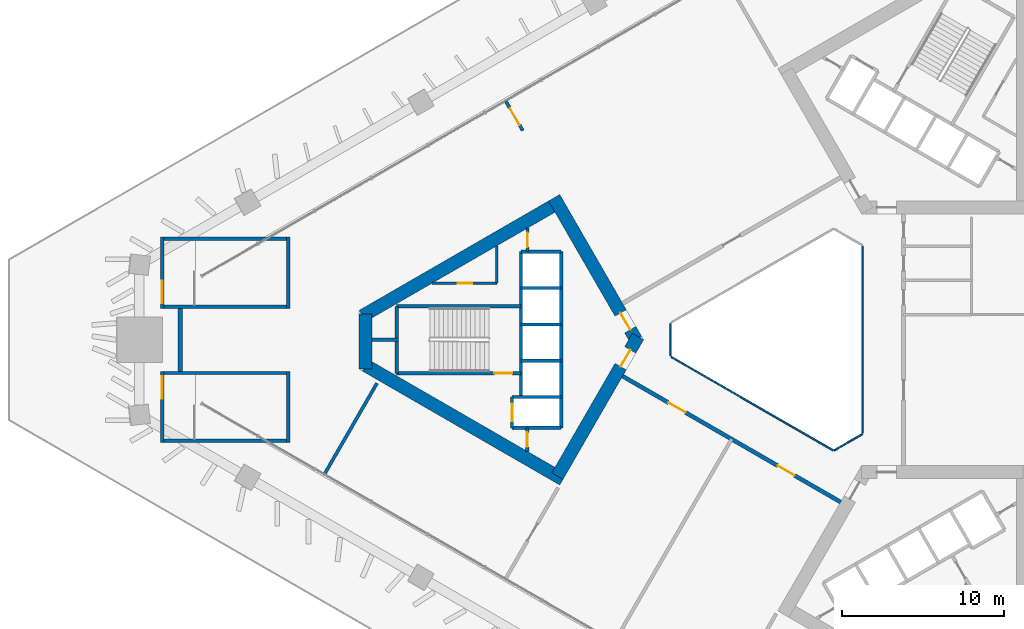
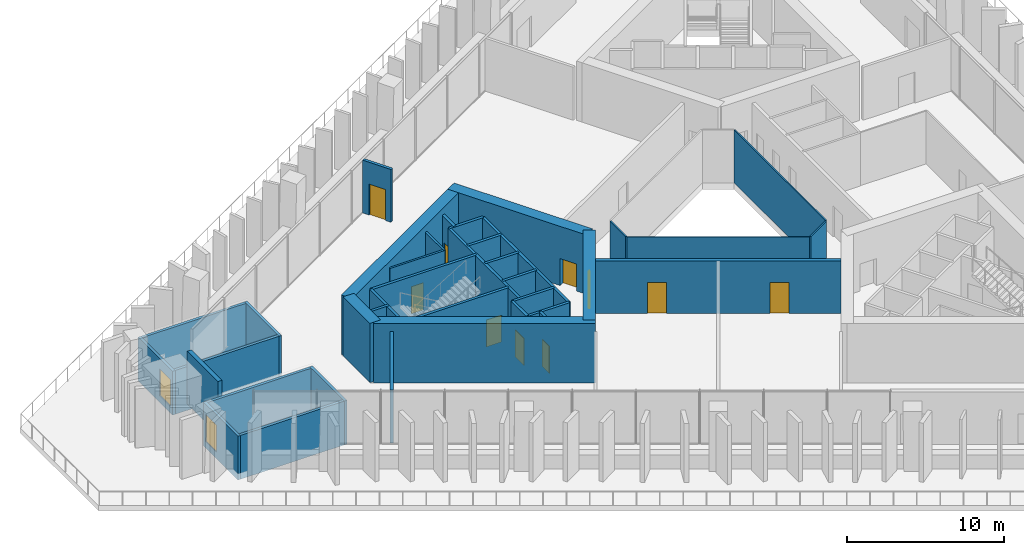
# One storey, part 17 of 31: 38 walls, 12 doors, 12 openings.
"""IFC4 building model written with IfcOpenShell, lengths in metres."""

from ifc_helpers import new_model, si_unit, direction, frame, frame_2d, origin, place, context, subcontext, project, spatial, rectangle, extrude, material, layer, layer_set, type_object, element, fill, save


model = new_model("IFC4")

# Units and contexts
model_context = context("Model", 3, precision=1e-05, world=origin(), true_north=direction((0.0, 1.0)))
body_context = subcontext(model_context, "Body", "Model", "MODEL_VIEW")
ifc_project = project(units=[si_unit("LENGTHUNIT", "METRE"), si_unit("AREAUNIT", "SQUARE_METRE"), si_unit("VOLUMEUNIT", "CUBIC_METRE"), si_unit("PLANEANGLEUNIT", "RADIAN"), si_unit("MASSUNIT", "GRAM", prefix="KILO")], contexts=[model_context])

# Site, building, storey
site_placement = place(None, origin())
site = spatial("IfcSite", under=ifc_project, at=site_placement, CompositionType="ELEMENT")
building_placement = place(site_placement, origin())
building = spatial("IfcBuilding", under=site, at=building_placement, Name="Jabali Bay Hotel Tower and Convention Centre", CompositionType="ELEMENT")
storey_placement = place(building_placement, frame((0.0, 0.0, 25.39990234375)))
storey = spatial("IfcBuildingStorey", under=building, at=storey_placement, Name="L04", CompositionType="ELEMENT", Elevation=25.39990234375)

# Walls
ifc_material_1 = material(Name="Fire-resistant glazing", Category="glass")
ifc_layer_1 = layer(ifc_material_1, 0.10009765625)
ifc_layer_set_1 = layer_set([ifc_layer_1], Name="Fire-resistant glazing")
wall_type_1 = type_object("IfcWallType", Name="Atrium glazed screen 100", PredefinedType="PARTITIONING", material=ifc_layer_set_1)
wall_1_placement = place(storey_placement, frame((79.56005859375, 74.205810546875, 0.0), z_axis=(0.0, 0.0, 1.0), x_axis=(0.0, 1.0, 0.0)))
element("IfcWall", 1, at=wall_1_placement, inside=storey, type_object=wall_type_1, Name="Atrium screen 1 L04", PredefinedType="PARTITIONING", context=body_context, shape_type="SweptSolid", body=[
    extrude(rectangle(XDim=11.58837890625, YDim=0.10009765625, at=frame_2d((5.794189453125, 0.0))), origin(), (0.0, 0.0, 1.0), 4.10009765625),
])
wall_2_placement = place(storey_placement, frame((67.672119140625, 81.0, 0.0), z_axis=(0.0, 0.0, 1.0), x_axis=(0.0, -1.0, 0.0)))
element("IfcWall", 2, at=wall_2_placement, inside=storey, type_object=wall_type_1, Name="Atrium screen 4 L04", PredefinedType="PARTITIONING", context=body_context, shape_type="SweptSolid", body=[
    extrude(rectangle(XDim=2.0, YDim=0.10009765625, at=frame_2d((1.0, 0.0))), origin(), (0.0, 0.0, 1.0), 4.10009765625),
])
wall_3_placement = place(storey_placement, frame((67.7021484375, 78.947998046875, 0.0), z_axis=(0.0, 0.0, 1.0), x_axis=(0.866026658274, -0.499997827154, 0.0)))
element("IfcWall", 3, at=wall_3_placement, inside=storey, type_object=wall_type_1, Name="Atrium screen 5 L04", PredefinedType="PARTITIONING", context=body_context, shape_type="SweptSolid", body=[
    extrude(rectangle(XDim=11.58837890625, YDim=0.10009765625, at=frame_2d((5.794189453125, 0.0))), origin(), (0.0, 0.0, 1.0), 4.10009765625),
])
wall_4_placement = place(storey_placement, frame((77.7978515625, 73.15380859375, 0.0), z_axis=(0.0, 0.0, 1.0), x_axis=(0.866041268327, 0.499972520799, 0.0)))
element("IfcWall", 4, at=wall_4_placement, inside=storey, type_object=wall_type_1, Name="Atrium screen 6 L04", PredefinedType="PARTITIONING", context=body_context, shape_type="SweptSolid", body=[
    extrude(rectangle(XDim=2.0, YDim=0.10009765625, at=frame_2d((1.0, 0.0))), origin(), (0.0, 0.0, 1.0), 4.10009765625),
])
ifc_material_2 = material(Name="Concrete C40", Category="concrete")
ifc_layer_2 = layer(ifc_material_2, 0.199951171875)
ifc_layer_set_2 = layer_set([ifc_layer_2], Name="Concrete C40")
wall_type_2 = type_object("IfcWallType", Name="Core partition wall 200", PredefinedType="PARTITIONING", material=ifc_layer_set_2)
wall_5_placement = place(storey_placement, frame((50.820068359375, 80.0, 0.0), z_axis=(0.0, 0.0, 1.0), x_axis=(-1.0, 0.0, 0.0)))
element("IfcWall", 5, at=wall_5_placement, inside=storey, type_object=wall_type_2, Name="Core wall 0.5 L04", PredefinedType="PARTITIONING", context=body_context, shape_type="SweptSolid", body=[
    extrude(rectangle(XDim=1.623046875, YDim=0.199951171875, at=frame_2d((0.8115234375, 0.0))), origin(), (0.0, 0.0, 1.0), 4.10009765625),
])

# Wall, opening, door
wall_6_placement = place(storey_placement, frame((58.820068359375, 86.916748046875, 0.0), z_axis=(0.0, 0.0, 1.0), x_axis=(0.0, -1.0, 0.0)))
wall_6 = element("IfcWall", 6, at=wall_6_placement, inside=storey, type_object=wall_type_2, Name="Core wall 0.11 L04", PredefinedType="PARTITIONING", context=body_context, shape_type="SweptSolid", body=[
    extrude(rectangle(XDim=1.466796875, YDim=0.199951171875, at=frame_2d((0.7333984375, 0.0))), origin(), (0.0, 0.0, 1.0), 4.10009765625),
])
opening_1_placement = place(wall_6_placement, frame((0.283447265625, 0.0, 0.0)))
opening_1 = element("IfcOpeningElement", 7, at=opening_1_placement, cuts=wall_6, Name="Opening D183", PredefinedType="OPENING", context=body_context, shape_type="SweptSolid", body=[
    extrude(rectangle(XDim=0.89990234375, YDim=2.10009765625, at=frame_2d((0.449951171875, 1.050048828125))), frame((0.0, 0.1103515625, 0.0), z_axis=(0.0, -1.0, 0.0), x_axis=(1.0, 0.0, 0.0)), (0.0, 0.0, 1.0), 0.220947265625),
])
ifc_material_3 = material(Name="Fire-rated steel door", Category="steel")
door_type_1 = type_object("IfcDoorType", Name="Vestibule fire door 900 x 2100", OperationType="NOTDEFINED", PredefinedType="NOTDEFINED", material=ifc_material_3)
door_1_placement = place(opening_1_placement, origin())
door_1 = element("IfcDoor", 8, at=door_1_placement, inside=storey, type_object=door_type_1, Name="Vestibule fire door D183", OperationType="SINGLE_SWING_LEFT", OverallHeight=2.10009765625, OverallWidth=0.89990234375, PredefinedType="NOTDEFINED", context=body_context, shape_type="SweptSolid", body=[
    extrude(rectangle(XDim=0.89990234375, YDim=2.10009765625, at=frame_2d((0.449951171875, 1.050048828125))), frame((0.0, 0.02490234375, 0.0), z_axis=(0.0, -1.0, 0.0), x_axis=(1.0, 0.0, 0.0)), (0.0, 0.0, 1.0), 0.050048828125),
])
fill(opening_1, door_1)

wall_7_placement = place(storey_placement, frame((58.800048828125, 74.550048828125, 0.0), z_axis=(0.0, 0.0, 1.0), x_axis=(0.0, -1.0, 0.0)))
wall_7 = element("IfcWall", 9, at=wall_7_placement, inside=storey, type_object=wall_type_2, Name="Core wall 0.12 L04", PredefinedType="PARTITIONING", context=body_context, shape_type="SweptSolid", body=[
    extrude(rectangle(XDim=1.455078125, YDim=0.199951171875, at=frame_2d((0.7275390625, 0.0))), origin(), (0.0, 0.0, 1.0), 4.10009765625),
])
opening_2_placement = place(wall_7_placement, frame((0.277587890625, 0.0, 0.0)))
opening_2 = element("IfcOpeningElement", 10, at=opening_2_placement, cuts=wall_7, Name="Opening D182", PredefinedType="OPENING", context=body_context, shape_type="SweptSolid", body=[
    extrude(rectangle(XDim=0.89990234375, YDim=2.10009765625, at=frame_2d((0.449951171875, 1.050048828125))), frame((0.0, 0.1103515625, 0.0), z_axis=(0.0, -1.0, 0.0), x_axis=(1.0, 0.0, 0.0)), (0.0, 0.0, 1.0), 0.220947265625),
])
door_2_placement = place(opening_2_placement, origin())
door_2 = element("IfcDoor", 11, at=door_2_placement, inside=storey, type_object=door_type_1, Name="Vestibule fire door D182", OperationType="SINGLE_SWING_LEFT", OverallHeight=2.10009765625, OverallWidth=0.89990234375, PredefinedType="NOTDEFINED", context=body_context, shape_type="SweptSolid", body=[
    extrude(rectangle(XDim=0.89990234375, YDim=2.10009765625, at=frame_2d((0.449951171875, 1.050048828125))), frame((0.0, 0.02490234375, 0.0), z_axis=(0.0, -1.0, 0.0), x_axis=(1.0, 0.0, 0.0)), (0.0, 0.0, 1.0), 0.050048828125),
])
fill(opening_2, door_2)

ifc_material_4 = material(Name="Fire-rated board partition")
ifc_layer_3 = layer(ifc_material_4, 0.14990234375)
ifc_layer_set_3 = layer_set([ifc_layer_3], Name="Fire-rated board partition")
wall_type_3 = type_object("IfcWallType", Name="Core room partition 150", PredefinedType="PARTITIONING", material=ifc_layer_set_3)
wall_8_placement = place(storey_placement, frame((56.919921875, 83.5, 0.0), z_axis=(0.0, 0.0, 1.0), x_axis=(-1.0, 0.0, 0.0)))
wall_8 = element("IfcWall", 12, at=wall_8_placement, inside=storey, type_object=wall_type_3, Name="Core wall 0.1 L04", PredefinedType="PARTITIONING", context=body_context, shape_type="SweptSolid", body=[
    extrude(rectangle(XDim=4.017822265625, YDim=0.14990234375, at=frame_2d((2.0087890625, 0.0))), origin(), (0.0, 0.0, 1.0), 4.10009765625),
])
opening_3_placement = place(wall_8_placement, frame((1.531494140625, 0.0, 0.0)))
opening_3 = element("IfcOpeningElement", 13, at=opening_3_placement, cuts=wall_8, Name="Opening D185", PredefinedType="OPENING", context=body_context, shape_type="SweptSolid", body=[
    extrude(rectangle(XDim=0.89990234375, YDim=2.10009765625, at=frame_2d((0.449951171875, 1.050048828125))), frame((0.0, 0.08544921875, 0.0), z_axis=(0.0, -1.0, 0.0), x_axis=(1.0, 0.0, 0.0)), (0.0, 0.0, 1.0), 0.1708984375),
])
door_type_2 = type_object("IfcDoorType", Name="Core room door 900 x 2100", OperationType="NOTDEFINED", PredefinedType="NOTDEFINED", material=ifc_material_3)
door_3_placement = place(opening_3_placement, origin())
door_3 = element("IfcDoor", 14, at=door_3_placement, inside=storey, type_object=door_type_2, Name="Core room door D185", OperationType="SINGLE_SWING_LEFT", OverallHeight=2.10009765625, OverallWidth=0.89990234375, PredefinedType="NOTDEFINED", context=body_context, shape_type="SweptSolid", body=[
    extrude(rectangle(XDim=0.89990234375, YDim=2.10009765625, at=frame_2d((0.449951171875, 1.050048828125))), frame((0.0, 0.02490234375, 0.0), z_axis=(0.0, -1.0, 0.0), x_axis=(1.0, 0.0, 0.0)), (0.0, 0.0, 1.0), 0.050048828125),
])
fill(opening_3, door_3)

# Walls
wall_9_placement = place(storey_placement, frame((56.919921875, 85.819580078125, 0.0), z_axis=(0.0, 0.0, 1.0), x_axis=(0.0, -1.0, 0.0)))
element("IfcWall", 15, at=wall_9_placement, inside=storey, type_object=wall_type_3, Name="Core wall 0.15 L04", PredefinedType="PARTITIONING", context=body_context, shape_type="SweptSolid", body=[
    extrude(rectangle(XDim=2.319580078125, YDim=0.14990234375, at=frame_2d((1.15966796875, 0.0))), origin(), (0.0, 0.0, 1.0), 4.10009765625),
])
ifc_layer_4 = layer(ifc_material_2, 0.199951171875)
ifc_layer_set_4 = layer_set([ifc_layer_4], Name="Concrete C40")
wall_type_4 = type_object("IfcWallType", Name="Core stair wall 200", PredefinedType="SOLIDWALL", material=ifc_layer_set_4)
for number, where, z_axis, x_axis, name in (
    (16, (60.89990234375, 85.449951171875, 0.0), (0.0, 0.0, 1.0), (-1.0, 0.0, 0.0), "Core wall 0.0 L04"),
    (17, (60.89990234375, 83.199951171875, 0.0), (0.0, 0.0, 1.0), (-1.0, 0.0, 0.0), "Core wall 0.2 L04"),
):
    element("IfcWall", number, at=place(storey_placement, frame(where, z_axis=z_axis, x_axis=x_axis)), inside=storey, type_object=wall_type_4, Name=name, PredefinedType="SOLIDWALL", context=body_context, shape_type="SweptSolid", body=[
        extrude(rectangle(XDim=2.47998046875, YDim=0.199951171875, at=frame_2d((1.239990234375, 0.0))), origin(), (0.0, 0.0, 1.0), 4.10009765625),
    ])
wall_10_placement = place(storey_placement, frame((58.419921875, 82.074951171875, 0.0), z_axis=(0.0, 0.0, 1.0), x_axis=(-1.0, 0.0, 0.0)))
element("IfcWall", 18, at=wall_10_placement, inside=storey, type_object=wall_type_4, Name="Core wall 0.3 L04", PredefinedType="SOLIDWALL", context=body_context, shape_type="SweptSolid", body=[
    extrude(rectangle(XDim=7.699951171875, YDim=0.199951171875, at=frame_2d((3.85009765625, 0.0))), origin(), (0.0, 0.0, 1.0), 4.10009765625),
])
for number, where, z_axis, x_axis, name in (
    (19, (60.89990234375, 80.949951171875, 0.0), (0.0, 0.0, 1.0), (-1.0, 0.0, 0.0), "Core wall 0.4 L04"),
    (20, (60.89990234375, 78.699951171875, 0.0), (0.0, 0.0, 1.0), (-1.0, 0.0, 0.0), "Core wall 0.6 L04"),
):
    element("IfcWall", number, at=place(storey_placement, frame(where, z_axis=z_axis, x_axis=x_axis)), inside=storey, type_object=wall_type_4, Name=name, PredefinedType="SOLIDWALL", context=body_context, shape_type="SweptSolid", body=[
        extrude(rectangle(XDim=2.47998046875, YDim=0.199951171875, at=frame_2d((1.239990234375, 0.0))), origin(), (0.0, 0.0, 1.0), 4.10009765625),
    ])

# Wall, opening, door
wall_11_placement = place(storey_placement, frame((58.419921875, 77.925048828125, 0.0), z_axis=(0.0, 0.0, 1.0), x_axis=(-1.0, 0.0, 0.0)))
wall_11 = element("IfcWall", 21, at=wall_11_placement, inside=storey, type_object=wall_type_4, Name="Core wall 0.7 L04", PredefinedType="SOLIDWALL", context=body_context, shape_type="SweptSolid", body=[
    extrude(rectangle(XDim=7.699951171875, YDim=0.199951171875, at=frame_2d((3.85009765625, 0.0))), origin(), (0.0, 0.0, 1.0), 4.10009765625),
])
opening_4_placement = place(wall_11_placement, frame((0.550048828125, 0.0, 0.0)))
opening_4 = element("IfcOpeningElement", 22, at=opening_4_placement, cuts=wall_11, Name="Opening D184", PredefinedType="OPENING", context=body_context, shape_type="SweptSolid", body=[
    extrude(rectangle(XDim=1.10009765625, YDim=2.10009765625, at=frame_2d((0.550048828125, 1.050048828125))), frame((0.0, 0.1103515625, 0.0), z_axis=(0.0, -1.0, 0.0), x_axis=(1.0, 0.0, 0.0)), (0.0, 0.0, 1.0), 0.220947265625),
])
door_type_3 = type_object("IfcDoorType", Name="Stair fire door 1100 x 2100", OperationType="NOTDEFINED", PredefinedType="NOTDEFINED", material=ifc_material_3)
door_4_placement = place(opening_4_placement, origin())
door_4 = element("IfcDoor", 23, at=door_4_placement, inside=storey, type_object=door_type_3, Name="Stair fire door D184", OperationType="SINGLE_SWING_RIGHT", OverallHeight=2.10009765625, OverallWidth=1.10009765625, PredefinedType="NOTDEFINED", context=body_context, shape_type="SweptSolid", body=[
    extrude(rectangle(XDim=1.10009765625, YDim=2.10009765625, at=frame_2d((0.550048828125, 1.050048828125))), frame((0.0, 0.02490234375, 0.0), z_axis=(0.0, -1.0, 0.0), x_axis=(1.0, 0.0, 0.0)), (0.0, 0.0, 1.0), 0.050048828125),
])
fill(opening_4, door_4)

# Walls
for number, where, z_axis, x_axis, name in (
    (24, (60.89990234375, 76.449951171875, 0.0), (0.0, 0.0, 1.0), (-1.0, 0.0, 0.0), "Core wall 0.8 L04"),
    (25, (60.89990234375, 74.550048828125, 0.0), (0.0, 0.0, 1.0), (-1.0, 0.0, 0.0), "Core wall 0.9 L04"),
):
    element("IfcWall", number, at=place(storey_placement, frame(where, z_axis=z_axis, x_axis=x_axis)), inside=storey, type_object=wall_type_4, Name=name, PredefinedType="SOLIDWALL", context=body_context, shape_type="SweptSolid", body=[
        extrude(rectangle(XDim=3.0498046875, YDim=0.199951171875, at=frame_2d((1.52490234375, 0.0))), origin(), (0.0, 0.0, 1.0), 4.10009765625),
    ])
wall_12_placement = place(storey_placement, frame((60.89990234375, 85.449951171875, 0.0), z_axis=(0.0, 0.0, 1.0), x_axis=(0.0, -1.0, 0.0)))
element("IfcWall", 26, at=wall_12_placement, inside=storey, type_object=wall_type_4, Name="Core wall 0.10 L04", PredefinedType="SOLIDWALL", context=body_context, shape_type="SweptSolid", body=[
    extrude(rectangle(XDim=10.89990234375, YDim=0.199951171875, at=frame_2d((5.449951171875, 0.0))), origin(), (0.0, 0.0, 1.0), 4.10009765625),
])
wall_13_placement = place(storey_placement, frame((58.419921875, 85.449951171875, 0.0), z_axis=(0.0, 0.0, 1.0), x_axis=(0.0, -1.0, 0.0)))
element("IfcWall", 27, at=wall_13_placement, inside=storey, type_object=wall_type_4, Name="Core wall 0.13 L04", PredefinedType="SOLIDWALL", context=body_context, shape_type="SweptSolid", body=[
    extrude(rectangle(XDim=9.0, YDim=0.199951171875, at=frame_2d((4.5, 0.0))), origin(), (0.0, 0.0, 1.0), 4.10009765625),
])

# Wall, opening, door
wall_14_placement = place(storey_placement, frame((57.85009765625, 76.449951171875, 0.0), z_axis=(0.0, 0.0, 1.0), x_axis=(0.0, -1.0, 0.0)))
wall_14 = element("IfcWall", 28, at=wall_14_placement, inside=storey, type_object=wall_type_4, Name="Core wall 0.14 L04", PredefinedType="SOLIDWALL", context=body_context, shape_type="SweptSolid", body=[
    extrude(rectangle(XDim=1.89990234375, YDim=0.199951171875, at=frame_2d((0.949951171875, 0.0))), origin(), (0.0, 0.0, 1.0), 4.10009765625),
])
opening_5_placement = place(wall_14_placement, frame((0.39990234375, 0.0, 0.0)))
opening_5 = element("IfcOpeningElement", 29, at=opening_5_placement, cuts=wall_14, Name="Opening LD5-L04", PredefinedType="OPENING", context=body_context, shape_type="SweptSolid", body=[
    extrude(rectangle(XDim=1.10009765625, YDim=2.10009765625, at=frame_2d((0.550048828125, 1.050048828125))), frame((0.0, 0.1103515625, 0.0), z_axis=(0.0, -1.0, 0.0), x_axis=(1.0, 0.0, 0.0)), (0.0, 0.0, 1.0), 0.220947265625),
])
ifc_material_5 = material(Name="Stainless steel landing door", Category="steel")
door_type_4 = type_object("IfcDoorType", Name="Landing door 1100 x 2100", OperationType="NOTDEFINED", PredefinedType="NOTDEFINED", material=ifc_material_5)
door_5_placement = place(opening_5_placement, origin())
door_5 = element("IfcDoor", 30, at=door_5_placement, inside=storey, type_object=door_type_4, Name="Landing doors LD5-L04", OperationType="SLIDING_TO_RIGHT", OverallHeight=2.10009765625, OverallWidth=1.10009765625, PredefinedType="NOTDEFINED", context=body_context, shape_type="SweptSolid", body=[
    extrude(rectangle(XDim=1.10009765625, YDim=2.10009765625, at=frame_2d((0.550048828125, 1.050048828125))), frame((0.0, 0.02490234375, 0.0), z_axis=(0.0, -1.0, 0.0), x_axis=(1.0, 0.0, 0.0)), (0.0, 0.0, 1.0), 0.050048828125),
])
fill(opening_5, door_5)

# Wall
wall_15_placement = place(storey_placement, frame((50.719970703125, 82.074951171875, 0.0), z_axis=(0.0, 0.0, 1.0), x_axis=(0.0, -1.0, 0.0)))
element("IfcWall", 31, at=wall_15_placement, inside=storey, type_object=wall_type_4, Name="Core wall 0.16 L04", PredefinedType="SOLIDWALL", context=body_context, shape_type="SweptSolid", body=[
    extrude(rectangle(XDim=4.14990234375, YDim=0.199951171875, at=frame_2d((2.074951171875, 0.0))), origin(), (0.0, 0.0, 1.0), 4.10009765625),
])

# Wall, opening, door
ifc_material_6 = material(Name="Concrete C60", Category="concrete")
ifc_layer_5 = layer(ifc_material_6, 0.800048828125)
ifc_layer_set_5 = layer_set([ifc_layer_5], Name="Concrete C60")
wall_type_5 = type_object("IfcWallType", Name="Core wall 800", PredefinedType="SHEAR", material=ifc_layer_set_5)
wall_16_placement = place(storey_placement, frame((65.5380859375, 80.0, 0.0), z_axis=(0.0, 0.0, 1.0), x_axis=(-0.49999662545, 0.866027352073, 0.0)))
wall_16 = element("IfcWall", 32, at=wall_16_placement, inside=storey, type_object=wall_type_5, Name="Core wall 1.1 L04", PredefinedType="SHEAR", context=body_context, shape_type="SweptSolid", body=[
    extrude(rectangle(XDim=10.14892578125, YDim=0.800048828125, at=frame_2d((5.074462890625, 0.0))), origin(), (0.0, 0.0, 1.0), 4.60009765625),
])
opening_6_placement = place(wall_16_placement, frame((0.718994140625, 0.0, 0.0)))
opening_6 = element("IfcOpeningElement", 33, at=opening_6_placement, cuts=wall_16, Name="Opening D180", PredefinedType="OPENING", context=body_context, shape_type="SweptSolid", body=[
    extrude(rectangle(XDim=1.199951171875, YDim=2.10009765625, at=frame_2d((0.60009765625, 1.050048828125))), frame((0.0, 0.41064453125, 0.0), z_axis=(0.0, -1.0, 0.0), x_axis=(1.0, 0.0, 0.0)), (0.0, 0.0, 1.0), 0.821044921875),
])
door_type_5 = type_object("IfcDoorType", Name="Corridor end fire door 1200 x 2100", OperationType="NOTDEFINED", PredefinedType="NOTDEFINED", material=ifc_material_3)
door_6_placement = place(opening_6_placement, origin())
door_6 = element("IfcDoor", 34, at=door_6_placement, inside=storey, type_object=door_type_5, Name="Corridor end fire door D180", OperationType="SINGLE_SWING_RIGHT", OverallHeight=2.10009765625, OverallWidth=1.199951171875, PredefinedType="NOTDEFINED", context=body_context, shape_type="SweptSolid", body=[
    extrude(rectangle(XDim=1.199951171875, YDim=2.10009765625, at=frame_2d((0.60009765625, 1.050048828125))), frame((0.0, 0.02490234375, 0.0), z_axis=(0.0, -1.0, 0.0), x_axis=(1.0, 0.0, 0.0)), (0.0, 0.0, 1.0), 0.050048828125),
])
fill(opening_6, door_6)

# Walls
wall_17_placement = place(storey_placement, frame((60.66357421875, 88.44287109375, 0.0), z_axis=(0.0, 0.0, 1.0), x_axis=(-0.866029478545, -0.499992942241, 0.0)))
element("IfcWall", 35, at=wall_17_placement, inside=storey, type_object=wall_type_5, Name="Core wall 1.2 L04", PredefinedType="SHEAR", context=body_context, shape_type="SweptSolid", body=[
    extrude(rectangle(XDim=13.933349609375, YDim=0.800048828125, at=frame_2d((6.966796875, 0.0))), origin(), (0.0, 0.0, 1.0), 4.60009765625),
])
wall_18_placement = place(storey_placement, frame((48.796875, 81.591796875, 0.0), z_axis=(0.0, 0.0, 1.0), x_axis=(0.0, -1.0, 0.0)))
element("IfcWall", 36, at=wall_18_placement, inside=storey, type_object=wall_type_5, Name="Core wall 1.3 L04", PredefinedType="SHEAR", context=body_context, shape_type="SweptSolid", body=[
    extrude(rectangle(XDim=3.41455078125, YDim=0.800048828125, at=frame_2d((1.707275390625, 0.0))), origin(), (0.0, 0.0, 1.0), 4.60009765625),
])
wall_19_placement = place(storey_placement, frame((48.796875, 78.408203125, 0.0), z_axis=(0.0, 0.0, 1.0), x_axis=(0.866032504327, -0.499987701298, 0.0)))
element("IfcWall", 37, at=wall_19_placement, inside=storey, type_object=wall_type_5, Name="Core wall 1.4 L04", PredefinedType="SHEAR", context=body_context, shape_type="SweptSolid", body=[
    extrude(rectangle(XDim=14.102294921875, YDim=0.800048828125, at=frame_2d((7.05126953125, 0.0))), origin(), (0.0, 0.0, 1.0), 4.60009765625),
])

# Wall, opening, door
wall_20_placement = place(storey_placement, frame((60.66357421875, 71.55712890625, 0.0), z_axis=(0.0, 0.0, 1.0), x_axis=(0.50000409368, 0.866023040284, 0.0)))
wall_20 = element("IfcWall", 38, at=wall_20_placement, inside=storey, type_object=wall_type_5, Name="Core wall 1.5 L04", PredefinedType="SHEAR", context=body_context, shape_type="SweptSolid", body=[
    extrude(rectangle(XDim=9.97998046875, YDim=0.800048828125, at=frame_2d((4.989990234375, 0.0))), origin(), (0.0, 0.0, 1.0), 4.60009765625),
])
opening_7_placement = place(wall_20_placement, frame((7.830078125, 0.0, 0.0)))
opening_7 = element("IfcOpeningElement", 39, at=opening_7_placement, cuts=wall_20, Name="Opening D181", PredefinedType="OPENING", context=body_context, shape_type="SweptSolid", body=[
    extrude(rectangle(XDim=1.199951171875, YDim=2.10009765625, at=frame_2d((0.60009765625, 1.050048828125))), frame((0.0, 0.41064453125, 0.0), z_axis=(0.0, -1.0, 0.0), x_axis=(1.0, 0.0, 0.0)), (0.0, 0.0, 1.0), 0.821044921875),
])
door_7_placement = place(opening_7_placement, origin())
door_7 = element("IfcDoor", 40, at=door_7_placement, inside=storey, type_object=door_type_5, Name="Corridor end fire door D181", OperationType="SINGLE_SWING_LEFT", OverallHeight=2.10009765625, OverallWidth=1.199951171875, PredefinedType="NOTDEFINED", context=body_context, shape_type="SweptSolid", body=[
    extrude(rectangle(XDim=1.199951171875, YDim=2.10009765625, at=frame_2d((0.60009765625, 1.050048828125))), frame((0.0, 0.02490234375, 0.0), z_axis=(0.0, -1.0, 0.0), x_axis=(1.0, 0.0, 0.0)), (0.0, 0.0, 1.0), 0.050048828125),
])
fill(opening_7, door_7)

# Wall, openings, doors
ifc_layer_6 = layer(ifc_material_6, 0.25)
ifc_layer_set_6 = layer_set([ifc_layer_6], Name="Concrete C60")
wall_type_6 = type_object("IfcWallType", Name="Corridor wall 250", PredefinedType="SHEAR", material=ifc_layer_set_6)
wall_21_placement = place(storey_placement, frame((64.699951171875, 77.748291015625, 0.0), z_axis=(0.0, 0.0, 1.0), x_axis=(0.866026492143, -0.499998114903, 0.0)))
wall_21 = element("IfcWall", 41, at=wall_21_placement, inside=storey, type_object=wall_type_6, Name="Corridor wall 3 L04", PredefinedType="SHEAR", context=body_context, shape_type="SweptSolid", body=[
    extrude(rectangle(XDim=15.58837890625, YDim=0.25, at=frame_2d((7.794189453125, 0.0))), origin(), (0.0, 0.0, 1.0), 4.10009765625),
])
opening_8_placement = place(wall_21_placement, frame((3.297119140625, 0.0, 0.0)))
opening_8 = element("IfcOpeningElement", 42, at=opening_8_placement, cuts=wall_21, Name="Opening 0407", PredefinedType="OPENING", context=body_context, shape_type="SweptSolid", body=[
    extrude(rectangle(XDim=1.199951171875, YDim=2.39990234375, at=frame_2d((0.60009765625, 1.199951171875))), frame((0.0, 0.135498046875, 0.0), z_axis=(0.0, -1.0, 0.0), x_axis=(1.0, 0.0, 0.0)), (0.0, 0.0, 1.0), 0.27099609375),
])
opening_9_placement = place(wall_21_placement, frame((11.09130859375, 0.0, 0.0)))
opening_9 = element("IfcOpeningElement", 43, at=opening_9_placement, cuts=wall_21, Name="Opening 0408", PredefinedType="OPENING", context=body_context, shape_type="SweptSolid", body=[
    extrude(rectangle(XDim=1.199951171875, YDim=2.39990234375, at=frame_2d((0.60009765625, 1.199951171875))), frame((0.0, 0.135498046875, 0.0), z_axis=(0.0, -1.0, 0.0), x_axis=(1.0, 0.0, 0.0)), (0.0, 0.0, 1.0), 0.27099609375),
])
ifc_material_7 = material(Name="Timber", Category="wood")
door_type_6 = type_object("IfcDoorType", Name="Public room door 1200 x 2400", OperationType="NOTDEFINED", PredefinedType="NOTDEFINED", material=ifc_material_7)
door_8_placement = place(opening_8_placement, origin())
door_8 = element("IfcDoor", 44, at=door_8_placement, inside=storey, type_object=door_type_6, Name="Door 0407", OperationType="SINGLE_SWING_LEFT", OverallHeight=2.39990234375, OverallWidth=1.199951171875, PredefinedType="NOTDEFINED", context=body_context, shape_type="SweptSolid", body=[
    extrude(rectangle(XDim=1.199951171875, YDim=2.39990234375, at=frame_2d((0.60009765625, 1.199951171875))), frame((0.0, 0.02490234375, 0.0), z_axis=(0.0, -1.0, 0.0), x_axis=(1.0, 0.0, 0.0)), (0.0, 0.0, 1.0), 0.050048828125),
])
fill(opening_8, door_8)
door_9_placement = place(opening_9_placement, origin())
door_9 = element("IfcDoor", 45, at=door_9_placement, inside=storey, type_object=door_type_6, Name="Door 0408", OperationType="SINGLE_SWING_RIGHT", OverallHeight=2.39990234375, OverallWidth=1.199951171875, PredefinedType="NOTDEFINED", context=body_context, shape_type="SweptSolid", body=[
    extrude(rectangle(XDim=1.199951171875, YDim=2.39990234375, at=frame_2d((0.60009765625, 1.199951171875))), frame((0.0, 0.02490234375, 0.0), z_axis=(0.0, -1.0, 0.0), x_axis=(1.0, 0.0, 0.0)), (0.0, 0.0, 1.0), 0.050048828125),
])
fill(opening_9, door_9)

# Wall
ifc_layer_7 = layer(ifc_material_2, 0.300048828125)
ifc_layer_set_7 = layer_set([ifc_layer_7], Name="Concrete C40")
wall_type_7 = type_object("IfcWallType", Name="External wall 300", PredefinedType="SOLIDWALL", material=ifc_layer_set_7)
wall_22_placement = place(storey_placement, frame((37.317138671875, 78.050048828125, 0.0), z_axis=(0.0, 0.0, 1.0), x_axis=(0.0, 1.0, 0.0)))
element("IfcWall", 46, at=wall_22_placement, inside=storey, type_object=wall_type_7, Name="External wall west chamfer L04", PredefinedType="SOLIDWALL", context=body_context, shape_type="SweptSolid", body=[
    extrude(rectangle(XDim=3.89990234375, YDim=0.300048828125, at=frame_2d((1.949951171875, 0.0))), origin(), (0.0, 0.0, 1.0), 4.10009765625),
])

# Wall, opening, door
ifc_material_8 = material(Name="Plasterboard on steel stud", Category="steel")
ifc_layer_8 = layer(ifc_material_8, 0.199951171875)
ifc_layer_set_8 = layer_set([ifc_layer_8], Name="Plasterboard on steel stud")
wall_type_8 = type_object("IfcWallType", Name="Partition 200 party", PredefinedType="PARTITIONING", material=ifc_layer_set_8)
wall_23_placement = place(storey_placement, frame((57.4814453125, 94.75439453125, 0.0), z_axis=(0.0, 0.0, 1.0), x_axis=(0.500002690545, -0.866023850392, 0.0)))
wall_23 = element("IfcWall", 47, at=wall_23_placement, inside=storey, type_object=wall_type_8, Name="Partition P01 L04 009", PredefinedType="PARTITIONING", context=body_context, shape_type="SweptSolid", body=[
    extrude(rectangle(XDim=2.08642578125, YDim=0.199951171875, at=frame_2d((1.043212890625, 0.0))), origin(), (0.0, 0.0, 1.0), 4.10009765625),
])
opening_10_placement = place(wall_23_placement, frame((0.489990234375, 0.0, 0.0)))
opening_10 = element("IfcOpeningElement", 48, at=opening_10_placement, cuts=wall_23, Name="Opening 0410", PredefinedType="OPENING", context=body_context, shape_type="SweptSolid", body=[
    extrude(rectangle(XDim=1.199951171875, YDim=2.39990234375, at=frame_2d((0.60009765625, 1.199951171875))), frame((0.0, 0.1103515625, 0.0), z_axis=(0.0, -1.0, 0.0), x_axis=(1.0, 0.0, 0.0)), (0.0, 0.0, 1.0), 0.220947265625),
])
door_10_placement = place(opening_10_placement, origin())
door_10 = element("IfcDoor", 49, at=door_10_placement, inside=storey, type_object=door_type_6, Name="Door 0410", OperationType="SINGLE_SWING_RIGHT", OverallHeight=2.39990234375, OverallWidth=1.199951171875, PredefinedType="NOTDEFINED", context=body_context, shape_type="SweptSolid", body=[
    extrude(rectangle(XDim=1.199951171875, YDim=2.39990234375, at=frame_2d((0.60009765625, 1.199951171875))), frame((0.0, 0.02490234375, 0.0), z_axis=(0.0, -1.0, 0.0), x_axis=(1.0, 0.0, 0.0)), (0.0, 0.0, 1.0), 0.050048828125),
])
fill(opening_10, door_10)

# Wall
wall_24_placement = place(storey_placement, frame((49.49755859375, 77.31201171875, 0.0), z_axis=(0.0, 0.0, 1.0), x_axis=(-0.49998971805, -0.86603133999, 0.0)))
element("IfcWall", 50, at=wall_24_placement, inside=storey, type_object=wall_type_8, Name="Partition P01 L04 014", PredefinedType="PARTITIONING", context=body_context, shape_type="SweptSolid", body=[
    extrude(rectangle(XDim=6.457763671875, YDim=0.199951171875, at=frame_2d((3.22900390625, 0.0))), origin(), (0.0, 0.0, 1.0), 4.10009765625),
])

# Wall, opening, door
ifc_layer_9 = layer(ifc_material_2, 0.199951171875)
ifc_layer_set_9 = layer_set([ifc_layer_9], Name="Concrete C40")
wall_type_9 = type_object("IfcWallType", Name="Podium stair enclosure wall 200", PredefinedType="SOLIDWALL", material=ifc_layer_set_9)
wall_25_placement = place(storey_placement, frame((36.199951171875, 78.050048828125, -0.5), z_axis=(0.0, 0.0, 1.0), x_axis=(0.0, -1.0, 0.0)))
wall_25 = element("IfcWall", 51, at=wall_25_placement, inside=storey, type_object=wall_type_9, Name="Podium stair wall 1.1 L04", PredefinedType="SOLIDWALL", context=body_context, shape_type="SweptSolid", body=[
    extrude(rectangle(XDim=4.400146484375, YDim=0.199951171875, at=frame_2d((2.2001953125, 0.0))), origin(), (0.0, 0.0, 1.0), 3.400146484375),
])
opening_11_placement = place(wall_25_placement, frame((0.300048828125, 0.0, 0.5)))
opening_11 = element("IfcOpeningElement", 52, at=opening_11_placement, cuts=wall_25, Name="Opening D1740", PredefinedType="OPENING", context=body_context, shape_type="SweptSolid", body=[
    extrude(rectangle(XDim=1.39990234375, YDim=2.10009765625, at=frame_2d((0.699951171875, 1.050048828125))), frame((0.0, 0.1103515625, 0.0), z_axis=(0.0, -1.0, 0.0), x_axis=(1.0, 0.0, 0.0)), (0.0, 0.0, 1.0), 0.220947265625),
])
door_type_7 = type_object("IfcDoorType", Name="Podium stair fire door 1400 x 2100", OperationType="NOTDEFINED", PredefinedType="NOTDEFINED", material=ifc_material_3)
door_11_placement = place(opening_11_placement, origin())
door_11 = element("IfcDoor", 53, at=door_11_placement, inside=storey, type_object=door_type_7, Name="Podium stair fire door D1740", OperationType="SINGLE_SWING_RIGHT", OverallHeight=2.10009765625, OverallWidth=1.39990234375, PredefinedType="NOTDEFINED", context=body_context, shape_type="SweptSolid", body=[
    extrude(rectangle(XDim=1.39990234375, YDim=2.10009765625, at=frame_2d((0.699951171875, 1.050048828125))), frame((0.0, 0.02490234375, 0.0), z_axis=(0.0, -1.0, 0.0), x_axis=(1.0, 0.0, 0.0)), (0.0, 0.0, 1.0), 0.050048828125),
])
fill(opening_11, door_11)

# Walls
wall_26_placement = place(storey_placement, frame((36.10009765625, 73.75, -0.5), z_axis=(0.0, 0.0, 1.0), x_axis=(1.0, 0.0, 0.0)))
element("IfcWall", 54, at=wall_26_placement, inside=storey, type_object=wall_type_9, Name="Podium stair wall 1.2 L04", PredefinedType="SOLIDWALL", context=body_context, shape_type="SweptSolid", body=[
    extrude(rectangle(XDim=8.0, YDim=0.199951171875, at=frame_2d((4.0, 0.0))), origin(), (0.0, 0.0, 1.0), 3.400146484375),
])
wall_27_placement = place(storey_placement, frame((44.0, 73.64990234375, -0.5), z_axis=(0.0, 0.0, 1.0), x_axis=(0.0, 1.0, 0.0)))
element("IfcWall", 55, at=wall_27_placement, inside=storey, type_object=wall_type_9, Name="Podium stair wall 1.3 L04", PredefinedType="SOLIDWALL", context=body_context, shape_type="SweptSolid", body=[
    extrude(rectangle(XDim=4.400146484375, YDim=0.199951171875, at=frame_2d((2.2001953125, 0.0))), origin(), (0.0, 0.0, 1.0), 3.400146484375),
])
wall_28_placement = place(storey_placement, frame((44.10009765625, 77.949951171875, -0.5), z_axis=(0.0, 0.0, 1.0), x_axis=(-1.0, 0.0, 0.0)))
element("IfcWall", 56, at=wall_28_placement, inside=storey, type_object=wall_type_9, Name="Podium stair wall 1.4 L04", PredefinedType="SOLIDWALL", context=body_context, shape_type="SweptSolid", body=[
    extrude(rectangle(XDim=8.0, YDim=0.199951171875, at=frame_2d((4.0, 0.0))), origin(), (0.0, 0.0, 1.0), 3.400146484375),
])

# Wall, opening, door
wall_29_placement = place(storey_placement, frame((36.199951171875, 86.35009765625, -0.5), z_axis=(0.0, 0.0, 1.0), x_axis=(0.0, -1.0, 0.0)))
wall_29 = element("IfcWall", 57, at=wall_29_placement, inside=storey, type_object=wall_type_9, Name="Podium stair wall 2.1 L04", PredefinedType="SOLIDWALL", context=body_context, shape_type="SweptSolid", body=[
    extrude(rectangle(XDim=4.400146484375, YDim=0.199951171875, at=frame_2d((2.2001953125, 0.0))), origin(), (0.0, 0.0, 1.0), 3.400146484375),
])
opening_12_placement = place(wall_29_placement, frame((2.699951171875, 0.0, 0.5)))
opening_12 = element("IfcOpeningElement", 58, at=opening_12_placement, cuts=wall_29, Name="Opening D1745", PredefinedType="OPENING", context=body_context, shape_type="SweptSolid", body=[
    extrude(rectangle(XDim=1.39990234375, YDim=2.10009765625, at=frame_2d((0.699951171875, 1.050048828125))), frame((0.0, 0.1103515625, 0.0), z_axis=(0.0, -1.0, 0.0), x_axis=(1.0, 0.0, 0.0)), (0.0, 0.0, 1.0), 0.220947265625),
])
door_12_placement = place(opening_12_placement, origin())
door_12 = element("IfcDoor", 59, at=door_12_placement, inside=storey, type_object=door_type_7, Name="Podium stair fire door D1745", OperationType="SINGLE_SWING_RIGHT", OverallHeight=2.10009765625, OverallWidth=1.39990234375, PredefinedType="NOTDEFINED", context=body_context, shape_type="SweptSolid", body=[
    extrude(rectangle(XDim=1.39990234375, YDim=2.10009765625, at=frame_2d((0.699951171875, 1.050048828125))), frame((0.0, 0.02490234375, 0.0), z_axis=(0.0, -1.0, 0.0), x_axis=(1.0, 0.0, 0.0)), (0.0, 0.0, 1.0), 0.050048828125),
])
fill(opening_12, door_12)

# Walls
wall_30_placement = place(storey_placement, frame((36.10009765625, 82.050048828125, -0.5), z_axis=(0.0, 0.0, 1.0), x_axis=(1.0, 0.0, 0.0)))
element("IfcWall", 60, at=wall_30_placement, inside=storey, type_object=wall_type_9, Name="Podium stair wall 2.2 L04", PredefinedType="SOLIDWALL", context=body_context, shape_type="SweptSolid", body=[
    extrude(rectangle(XDim=8.0, YDim=0.199951171875, at=frame_2d((4.0, 0.0))), origin(), (0.0, 0.0, 1.0), 3.400146484375),
])
wall_31_placement = place(storey_placement, frame((44.0, 81.949951171875, -0.5), z_axis=(0.0, 0.0, 1.0), x_axis=(0.0, 1.0, 0.0)))
element("IfcWall", 61, at=wall_31_placement, inside=storey, type_object=wall_type_9, Name="Podium stair wall 2.3 L04", PredefinedType="SOLIDWALL", context=body_context, shape_type="SweptSolid", body=[
    extrude(rectangle(XDim=4.400146484375, YDim=0.199951171875, at=frame_2d((2.2001953125, 0.0))), origin(), (0.0, 0.0, 1.0), 3.400146484375),
])
wall_32_placement = place(storey_placement, frame((44.10009765625, 86.25, -0.5), z_axis=(0.0, 0.0, 1.0), x_axis=(-1.0, 0.0, 0.0)))
element("IfcWall", 62, at=wall_32_placement, inside=storey, type_object=wall_type_9, Name="Podium stair wall 2.4 L04", PredefinedType="SOLIDWALL", context=body_context, shape_type="SweptSolid", body=[
    extrude(rectangle(XDim=8.0, YDim=0.199951171875, at=frame_2d((4.0, 0.0))), origin(), (0.0, 0.0, 1.0), 3.400146484375),
])

save(model, "model.ifc")
